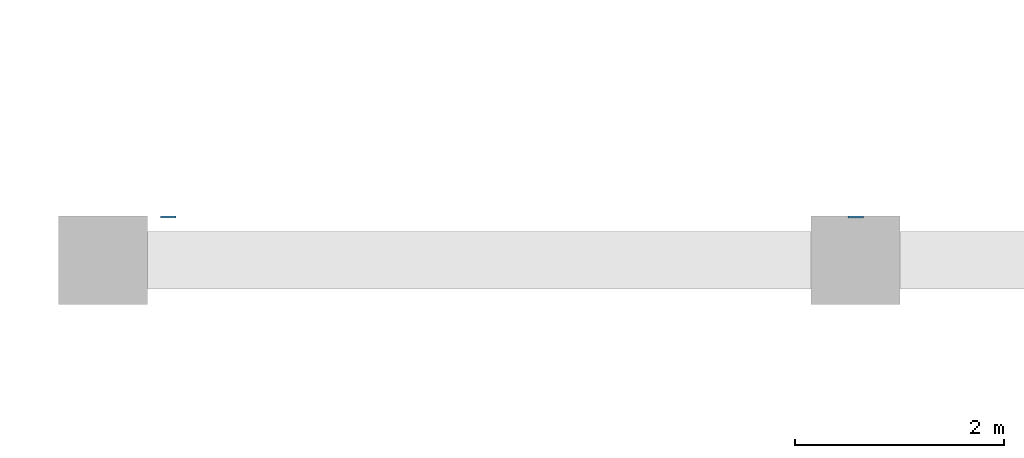
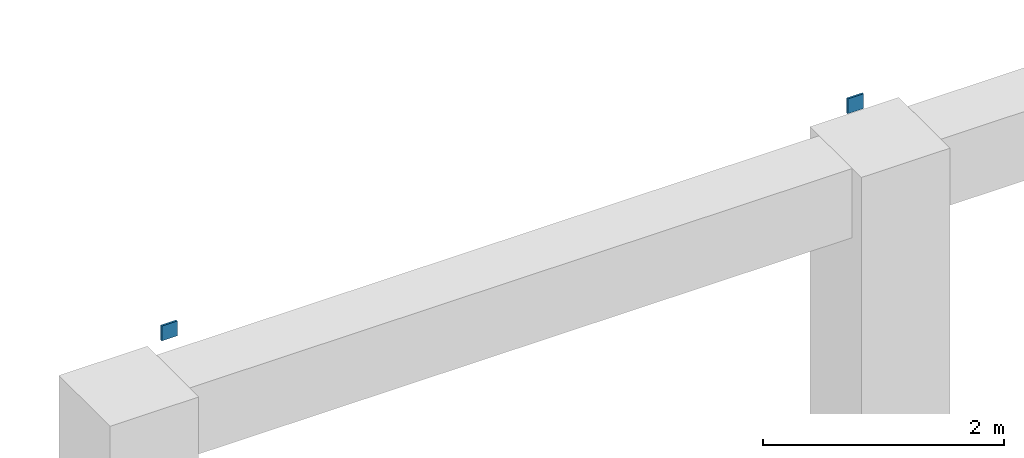
# One storey, part 41 of 48: 2 discrete accessories.
"""IFC4 building model written with IfcOpenShell, lengths in metres."""

from ifc_helpers import new_model, si_unit, direction, frame, origin, origin_2d, place, context, subcontext, project, spatial, rectangle, extrude, material, element, save


model = new_model("IFC4")

# Units and contexts
model_context = context("Model", 3, precision=1e-05, world=origin(), true_north=direction((0.0, 1.0)))
body_context = subcontext(model_context, "Body", "Model", "MODEL_VIEW")
ifc_project = project(units=[si_unit("LENGTHUNIT", "METRE"), si_unit("AREAUNIT", "SQUARE_METRE"), si_unit("VOLUMEUNIT", "CUBIC_METRE"), si_unit("PLANEANGLEUNIT", "RADIAN"), si_unit("MASSUNIT", "GRAM", prefix="KILO")], contexts=[model_context])

# Site, building, storey
site_placement = place(None, origin())
site = spatial("IfcSite", under=ifc_project, at=site_placement, CompositionType="ELEMENT")
building_placement = place(site_placement, origin())
building = spatial("IfcBuilding", under=site, at=building_placement, Name="Silangan Lancet Faculty of Sciences", CompositionType="ELEMENT")
storey_placement = place(building_placement, frame((0.0, 0.0, 6.0)))
storey = spatial("IfcBuildingStorey", under=building, at=storey_placement, Name="L01", CompositionType="ELEMENT", Elevation=6.0)

# Discrete accessories
ifc_material = material(Name="Steel STKR400", Category="steel")
for number, where, z_axis, x_axis, name in (
    (1, (51.02490234375, 36.4150390625, 5.420166015625), (0.0, 0.0, 1.0), (1.0, 0.0, 0.0), "Truss 4 bottom chord cap"),
    (2, (57.60009765625, 36.4150390625, 5.420166015625), (0.0, 0.0, 1.0), (1.0, 0.0, 0.0), "Truss 5 bottom chord cap"),
):
    element("IfcDiscreteAccessory", number, at=place(storey_placement, frame(where, z_axis=z_axis, x_axis=x_axis)), inside=storey, material=ifc_material, Name=name, ObjectType="END CAP", PredefinedType="USERDEFINED", context=body_context, shape_type="SweptSolid", body=[
        extrude(rectangle(XDim=0.14990234375, YDim=0.02001953125, at=origin_2d()), origin(), (0.0, 0.0, 1.0), 0.14990234375),
    ])

save(model, "model.ifc")
